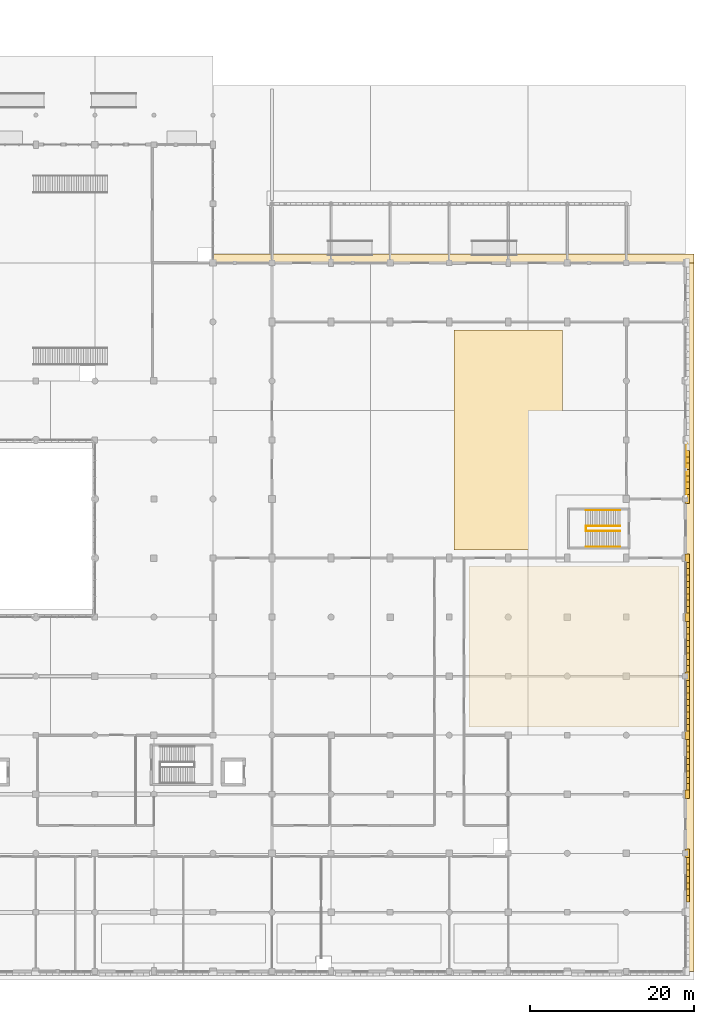
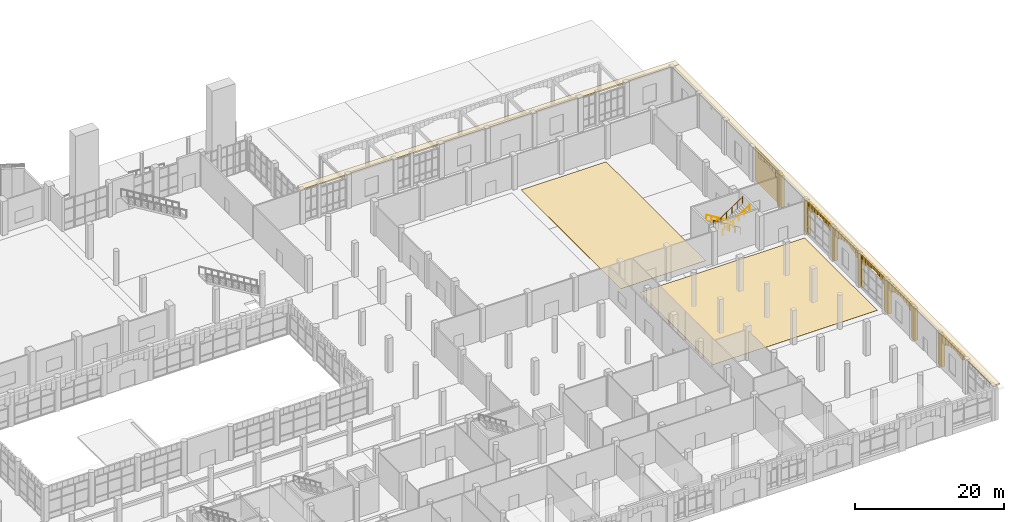
# One storey, part 83 of 85: 58 coverings, 3 railings.
"""IFC4 building model written with IfcOpenShell, lengths in metres."""

import ifcopenshell
import ifcopenshell.guid

model = None  # the IFC model being written
_history = None  # IfcOwnerHistory: only IFC2X3 demands one
_inside = {}  # id of a spatial element -> (the spatial element, [elements in it])
_under = {}  # id of a project, library or spatial element -> (it, [spatial elements below it])
_declared = {}  # id of a project -> (the project, [libraries it declares])
_typed = {}  # id of a type object -> (the type object, [elements of that type])
_made_of = {}  # id of a material, layer set ... -> (it, [elements and type objects made of it])


def new_model(schema):
    """Start an empty IFC model of exactly this schema.

    Asked for "IFC4X3", IfcOpenShell would pick the latest addendum, in which some entities
    have other attributes; the version numbers below select the first issue.
    IFC2X3 requires an IfcOwnerHistory on every rooted entity: one is made here for all.
    """
    global model, _history
    if schema == "IFC4X3":
        model = ifcopenshell.file(schema_version=(4, 3, 0, 0))
    else:
        model = ifcopenshell.file(schema=schema)
    _inside.clear()
    _under.clear()
    _declared.clear()
    _typed.clear()
    _made_of.clear()
    _history = None
    if model.schema == "IFC2X3":
        org = make("IfcOrganization", Name="unknown")
        user = make(
            "IfcPersonAndOrganization",
            ThePerson=make("IfcPerson", FamilyName="unknown"),
            TheOrganization=org,
        )
        app = make(
            "IfcApplication",
            ApplicationDeveloper=org,
            Version="unknown",
            ApplicationFullName="unknown",
            ApplicationIdentifier="unknown",
        )
        _history = make(
            "IfcOwnerHistory",
            OwningUser=user,
            OwningApplication=app,
            ChangeAction="ADDED",
            CreationDate=0,
        )
    return model


def make(cls, **values):
    """One entity of the class cls with the attributes given. An attribute that is None is left unset."""
    return model.create_entity(
        cls, **{name: value for name, value in values.items() if value is not None}
    )


def rooted(cls, **values):
    """An entity with a GlobalId (a new one), such as an element, a storey or a relation."""
    return make(cls, GlobalId=ifcopenshell.guid.new(), OwnerHistory=_history, **values)


def si_unit(unit_type, name, prefix=None):
    """IfcSIUnit, for example si_unit("LENGTHUNIT", "METRE", prefix="MILLI")."""
    return make("IfcSIUnit", UnitType=unit_type, Prefix=prefix, Name=name)


def assignment(units):
    """IfcUnitAssignment: the units of a project."""
    return None if units is None else make("IfcUnitAssignment", Units=units)


def point(xyz):
    """IfcCartesianPoint."""
    return None if xyz is None else make("IfcCartesianPoint", Coordinates=xyz)


def direction(xyz):
    """IfcDirection."""
    return None if xyz is None else make("IfcDirection", DirectionRatios=xyz)


def frame(location, z_axis=None, x_axis=None):
    """IfcAxis2Placement3D, a coordinate frame: its origin and axes. An axis left out is left unset."""
    return make(
        "IfcAxis2Placement3D",
        Location=point(location),
        Axis=direction(z_axis),
        RefDirection=direction(x_axis),
    )


def frame_2d(location, x_axis=None):
    """IfcAxis2Placement2D, a coordinate frame in the plane: its origin and x axis."""
    return make(
        "IfcAxis2Placement2D", Location=point(location), RefDirection=direction(x_axis)
    )


def origin():
    """The frame at (0, 0, 0) with its axes left unset."""
    return frame((0.0, 0.0, 0.0))


def origin_2d():
    """The frame at (0, 0) in the plane with its x axis left unset."""
    return frame_2d((0.0, 0.0))


def place(relative_to, where):
    """IfcLocalPlacement: puts the frame where relative to a parent placement (None: the world)."""
    return make(
        "IfcLocalPlacement", PlacementRelTo=relative_to, RelativePlacement=where
    )


def context(
    kind, dimensions, precision=None, world=None, true_north=None, identifier=None
):
    """IfcGeometricRepresentationContext, for example the 3D "Model" context."""
    return make(
        "IfcGeometricRepresentationContext",
        ContextIdentifier=identifier,
        ContextType=kind,
        CoordinateSpaceDimension=dimensions,
        Precision=precision,
        WorldCoordinateSystem=world,
        TrueNorth=true_north,
    )


def subcontext(parent, identifier, kind, view, scale=None):
    """IfcGeometricRepresentationSubContext, for example "Body" below "Model"."""
    return make(
        "IfcGeometricRepresentationSubContext",
        ContextIdentifier=identifier,
        ContextType=kind,
        ParentContext=parent,
        TargetScale=scale,
        TargetView=view,
    )


def project(units=None, contexts=None):
    """IfcProject with its units and contexts."""
    return rooted(
        "IfcProject",
        Name="project",
        RepresentationContexts=contexts,
        UnitsInContext=assignment(units),
    )


def spatial(cls, under=None, at=None, **own):
    """A site, building, storey or space (cls), placed at a placement, below another one or the project."""
    s = rooted(cls, ObjectPlacement=at, **own)
    if under is not None:
        _under.setdefault(under.id(), (under, []))[1].append(s)
    return s


def polyline(points):
    """IfcPolyline through the points."""
    return make("IfcPolyline", Points=[point(p) for p in points])


def profile(cls, at=None, kind="AREA", **sizes):
    """A parametric profile (cls). Its sizes go by their IFC names, for example OverallWidth=200.0."""
    return make(cls, ProfileType=kind, Position=at, **sizes)


def rectangle(**sizes):
    """IfcRectangleProfileDef."""
    return profile("IfcRectangleProfileDef", **sizes)


def circle(**sizes):
    """IfcCircleProfileDef."""
    return profile("IfcCircleProfileDef", **sizes)


def outline(outer, holes=None, kind="AREA"):
    """IfcArbitraryClosedProfileDef: a profile drawn as a closed curve; with holes, ...WithVoids."""
    if holes is None:
        return make("IfcArbitraryClosedProfileDef", ProfileType=kind, OuterCurve=outer)
    return make(
        "IfcArbitraryProfileDefWithVoids",
        ProfileType=kind,
        OuterCurve=outer,
        InnerCurves=holes,
    )


def extrude(swept, where, along, depth):
    """IfcExtrudedAreaSolid: the profile swept, set in the frame where, extruded along a direction by depth."""
    return make(
        "IfcExtrudedAreaSolid",
        SweptArea=swept,
        Position=where,
        ExtrudedDirection=direction(along),
        Depth=depth,
    )


def shape(context_of_items, identifier, shape_type, items):
    """IfcShapeRepresentation: the items that make up one representation, for example the "Body"."""
    return make(
        "IfcShapeRepresentation",
        ContextOfItems=context_of_items,
        RepresentationIdentifier=identifier,
        RepresentationType=shape_type,
        Items=items,
    )


def material(Name=None, Category=None):
    """IfcMaterial."""
    return make("IfcMaterial", Name=Name, Category=Category)


def layer(
    of_material, thickness, ventilated=None, Name=None, Category=None, Priority=None
):
    """IfcMaterialLayer: one layer of a wall or slab, of a material (None: an air gap)."""
    return make(
        "IfcMaterialLayer",
        Material=of_material,
        LayerThickness=thickness,
        IsVentilated=ventilated,
        Name=Name,
        Category=Category,
        Priority=Priority,
    )


def layer_set(layers, Name=None):
    """IfcMaterialLayerSet."""
    return make("IfcMaterialLayerSet", MaterialLayers=layers, LayerSetName=Name)


def made_of(thing, what):
    """Note that an element or type object is made of a material, layer set ...; save() writes the relation."""
    if what is not None:
        _made_of.setdefault(what.id(), (what, []))[1].append(thing)
    return thing


def type_object(cls, material=None, **own):
    """A type object (cls), such as IfcWallType, which elements share."""
    return made_of(rooted(cls, **own), material)


def element(
    cls,
    number,
    at=None,
    inside=None,
    cuts=None,
    type_object=None,
    material=None,
    context=None,
    identifier="Body",
    shape_type=None,
    held_by="IfcProductDefinitionShape",
    body=None,
    shapes=None,
    **own,
):
    """One element of the class cls, such as IfcWall. Its Tag is "e" and its number.

    at: its placement. inside: the storey or other place that contains it. cuts: it is an
    opening in that element (IfcRelVoidsElement). A single representation is given by context,
    identifier, shape_type and body (its items); several are given by shapes. held_by: the class
    of the entity that holds the representations. save() writes the other relations.
    """
    e = rooted(cls, Tag="e%d" % number, ObjectPlacement=at, **own)
    if body is not None:
        shapes = [shape(context, identifier, shape_type, body)]
    if shapes is not None:
        e.Representation = make(held_by, Representations=shapes)
    if inside is not None:
        _inside.setdefault(inside.id(), (inside, []))[1].append(e)
    if cuts is not None:
        rooted(
            "IfcRelVoidsElement", RelatingBuildingElement=cuts, RelatedOpeningElement=e
        )
    if type_object is not None:
        _typed.setdefault(type_object.id(), (type_object, []))[1].append(e)
    return made_of(e, material)


def aggregate(whole, parts):
    """IfcRelAggregates: a whole, such as a stair, and the parts it consists of."""
    return rooted("IfcRelAggregates", RelatingObject=whole, RelatedObjects=parts)


def save(model, path):
    """Write the relations noted so far, then the file.

    IfcRelAggregates (storeys below a building ...), IfcRelContainedInSpatialStructure (elements
    in a storey), IfcRelDefinesByType, IfcRelAssociatesMaterial and IfcRelDeclares: one each for
    every whole, place, type object, material and project.
    """
    for whole, parts in _under.values():
        aggregate(whole, parts)
    for where, things in _inside.values():
        rooted(
            "IfcRelContainedInSpatialStructure",
            RelatedElements=things,
            RelatingStructure=where,
        )
    for kind, things in _typed.values():
        rooted("IfcRelDefinesByType", RelatedObjects=things, RelatingType=kind)
    for what, things in _made_of.values():
        rooted("IfcRelAssociatesMaterial", RelatedObjects=things, RelatingMaterial=what)
    for by, libraries in _declared.values():
        rooted("IfcRelDeclares", RelatingContext=by, RelatedDefinitions=libraries)
    model.write(path)


model = new_model("IFC4")

# Units and contexts
model_context = context("Model", 3, precision=1e-05, world=origin(), true_north=direction((0.0, 1.0)))
body_context = subcontext(model_context, "Body", "Model", "MODEL_VIEW")
ifc_project = project(units=[si_unit("LENGTHUNIT", "METRE"), si_unit("AREAUNIT", "SQUARE_METRE"), si_unit("VOLUMEUNIT", "CUBIC_METRE"), si_unit("PLANEANGLEUNIT", "RADIAN"), si_unit("MASSUNIT", "GRAM", prefix="KILO")], contexts=[model_context])

# Site, building, storey
site_placement = place(None, origin())
site = spatial("IfcSite", under=ifc_project, at=site_placement, CompositionType="ELEMENT")
building_placement = place(site_placement, origin())
building = spatial("IfcBuilding", under=site, at=building_placement, Name="Sardonyx Promenade Sports Hall", CompositionType="ELEMENT")
storey_placement = place(building_placement, origin())
storey = spatial("IfcBuildingStorey", under=building, at=storey_placement, Name="L00", CompositionType="ELEMENT", Elevation=0.0)

# Coverings
ifc_material_1 = material(Name="Dressed Cape red sandstone cornice", Category="masonry")
ifc_layer_1 = layer(ifc_material_1, 0.139892578125)
ifc_layer_set_1 = layer_set([ifc_layer_1], Name="Cov_Chhajja_Eave")
covering_type_1 = type_object("IfcCoveringType", Name="Cov_Chhajja_Eave", PredefinedType="MOLDING", material=ifc_layer_set_1)
covering_1_placement = place(storey_placement, frame((0.0, 0.0, 5.25)))
element("IfcCovering", 1, at=covering_1_placement, inside=storey, type_object=covering_type_1, Name="East facade L00 chhajja cornice", PredefinedType="MOLDING", context=body_context, shape_type="SweptSolid", body=[
    extrude(outline(polyline([(165.550048828125, 0.0), (166.64990234375, 0.0), (166.64990234375, 86.5), (165.550048828125, 86.5), (165.550048828125, 0.0)])), origin(), (0.0, 0.0, 1.0), 0.219970703125),
])
covering_2_placement = place(storey_placement, frame((0.0, 0.0, 5.25)))
element("IfcCovering", 2, at=covering_2_placement, inside=storey, type_object=covering_type_1, Name="Practice hall north chhajja cornice", PredefinedType="MOLDING", context=body_context, shape_type="SweptSolid", body=[
    extrude(outline(polyline([(107.949951171875, 86.35009765625), (166.64990234375, 86.35009765625), (166.64990234375, 87.449951171875), (107.949951171875, 87.449951171875), (107.949951171875, 86.35009765625)])), origin(), (0.0, 0.0, 1.0), 0.219970703125),
])
ifc_material_2 = material(Name="Dressed Cape red sandstone ashlar", Category="masonry")
ifc_layer_2 = layer(ifc_material_2, 0.06005859375)
ifc_layer_set_2 = layer_set([ifc_layer_2], Name="Cov_Cladding_Sandstone")
covering_type_2 = type_object("IfcCoveringType", Name="Cov_Cladding_Sandstone", PredefinedType="CLADDING", material=ifc_layer_set_2)
covering_3_placement = place(storey_placement, frame((165.77490234375, 64.364990234375, 0.050048828125), z_axis=(0.0, 0.0, 1.0), x_axis=(0.0, -1.0, 0.0)))
element("IfcCovering", 3, at=covering_3_placement, inside=storey, type_object=covering_type_2, Name="Dressed sandstone ashlar cladding L00 #95", PredefinedType="CLADDING", context=body_context, shape_type="SweptSolid", body=[
    extrude(rectangle(XDim=6.429931640625, YDim=0.050048828125, at=frame_2d((3.21484375, 0.0))), origin(), (0.0, 0.0, 1.0), 5.5),
])
covering_4_placement = place(storey_placement, origin())
element("IfcCovering", 4, at=covering_4_placement, inside=storey, type_object=covering_type_2, Name="East sandstone pier casing L00 #2", PredefinedType="CLADDING", context=body_context, shape_type="SweptSolid", body=[
    extrude(outline(polyline([(165.580078125, 13.8798828125), (166.080078125, 13.8798828125), (166.080078125, 14.919921875), (165.580078125, 14.919921875), (165.580078125, 13.8798828125)])), origin(), (0.0, 0.0, 1.0), 5.25),
])
covering_5_placement = place(storey_placement, origin())
element("IfcCovering", 5, at=covering_5_placement, inside=storey, type_object=covering_type_2, Name="East sandstone pier casing L00 #3", PredefinedType="CLADDING", context=body_context, shape_type="SweptSolid", body=[
    extrude(outline(polyline([(165.580078125, 21.080078125), (166.080078125, 21.080078125), (166.080078125, 22.1201171875), (165.580078125, 22.1201171875), (165.580078125, 21.080078125)])), origin(), (0.0, 0.0, 1.0), 5.25),
])
covering_6_placement = place(storey_placement, origin())
element("IfcCovering", 6, at=covering_6_placement, inside=storey, type_object=covering_type_2, Name="East sandstone pier casing L00 #4", PredefinedType="CLADDING", context=body_context, shape_type="SweptSolid", body=[
    extrude(outline(polyline([(165.580078125, 28.280029296875), (166.080078125, 28.280029296875), (166.080078125, 29.320068359375), (165.580078125, 29.320068359375), (165.580078125, 28.280029296875)])), origin(), (0.0, 0.0, 1.0), 5.25),
])
covering_7_placement = place(storey_placement, origin())
element("IfcCovering", 7, at=covering_7_placement, inside=storey, type_object=covering_type_2, Name="East sandstone pier casing L00 #5", PredefinedType="CLADDING", context=body_context, shape_type="SweptSolid", body=[
    extrude(outline(polyline([(165.580078125, 35.47998046875), (166.080078125, 35.47998046875), (166.080078125, 36.52001953125), (165.580078125, 36.52001953125), (165.580078125, 35.47998046875)])), origin(), (0.0, 0.0, 1.0), 5.25),
])
covering_8_placement = place(storey_placement, origin())
element("IfcCovering", 8, at=covering_8_placement, inside=storey, type_object=covering_type_2, Name="East sandstone pier casing L00 #6", PredefinedType="CLADDING", context=body_context, shape_type="SweptSolid", body=[
    extrude(outline(polyline([(165.580078125, 42.679931640625), (166.080078125, 42.679931640625), (166.080078125, 43.719970703125), (165.580078125, 43.719970703125), (165.580078125, 42.679931640625)])), origin(), (0.0, 0.0, 1.0), 5.25),
])
covering_9_placement = place(storey_placement, origin())
element("IfcCovering", 9, at=covering_9_placement, inside=storey, type_object=covering_type_2, Name="East sandstone pier casing L00 #7", PredefinedType="CLADDING", context=body_context, shape_type="SweptSolid", body=[
    extrude(outline(polyline([(165.580078125, 49.8798828125), (166.080078125, 49.8798828125), (166.080078125, 50.919921875), (165.580078125, 50.919921875), (165.580078125, 49.8798828125)])), origin(), (0.0, 0.0, 1.0), 5.25),
])
covering_10_placement = place(storey_placement, origin())
element("IfcCovering", 10, at=covering_10_placement, inside=storey, type_object=covering_type_2, Name="East sandstone pier casing L00 #8", PredefinedType="CLADDING", context=body_context, shape_type="SweptSolid", body=[
    extrude(outline(polyline([(165.580078125, 57.080078125), (166.080078125, 57.080078125), (166.080078125, 58.1201171875), (165.580078125, 58.1201171875), (165.580078125, 57.080078125)])), origin(), (0.0, 0.0, 1.0), 5.25),
])
ifc_material_3 = material(Name="EPDM polymeric athletic surfacing", Category="other")
ifc_layer_3 = layer(ifc_material_3, 0.02490234375)
ifc_layer_set_3 = layer_set([ifc_layer_3], Name="Cov_Floor_Athletic")
covering_type_3 = type_object("IfcCoveringType", Name="Cov_Floor_Athletic", PredefinedType="FLOORING", material=ifc_layer_set_3)
covering_11_placement = place(storey_placement, origin())
element("IfcCovering", 11, at=covering_11_placement, inside=storey, type_object=covering_type_3, Name="Athletic flooring FLR2 L00 #14", PredefinedType="FLOORING", context=body_context, shape_type="SweptSolid", body=[
    extrude(outline(polyline([(139.199951171875, 29.800048828125), (164.800048828125, 29.800048828125), (164.800048828125, 49.39990234375), (139.199951171875, 49.39990234375), (139.199951171875, 29.800048828125)])), origin(), (0.0, 0.0, 1.0), 0.02490234375),
])
ifc_material_4 = material(Name="FIBA Grade 1 sprung maple hardwood court flooring", Category="wood")
ifc_layer_4 = layer(ifc_material_4, 0.044921875)
ifc_layer_set_4 = layer_set([ifc_layer_4], Name="Cov_Floor_Maple")
covering_type_4 = type_object("IfcCoveringType", Name="Cov_Floor_Maple", PredefinedType="FLOORING", material=ifc_layer_set_4)
covering_12_placement = place(storey_placement, origin())
element("IfcCovering", 12, at=covering_12_placement, inside=storey, type_object=covering_type_4, Name="Athletic flooring FLR1 L00 #4", PredefinedType="FLOORING", context=body_context, shape_type="SweptSolid", body=[
    extrude(outline(polyline([(137.39990234375, 51.39990234375), (150.60009765625, 51.39990234375), (150.60009765625, 78.199951171875), (137.39990234375, 78.199951171875), (137.39990234375, 51.39990234375)])), origin(), (0.0, 0.0, 1.0), 0.044921875),
])
ifc_material_5 = material(Name="Carved Cape red sandstone ashlar", Category="masonry")
ifc_layer_5 = layer(ifc_material_5, 0.239990234375)
ifc_layer_set_5 = layer_set([ifc_layer_5], Name="Cov_Mughal_Arch")
covering_type_5 = type_object("IfcCoveringType", Name="Cov_Mughal_Arch", PredefinedType="CLADDING", material=ifc_layer_set_5)
covering_13_placement = place(storey_placement, frame((165.919921875, 8.489990234375, 4.3671875), z_axis=(0.0, 0.0, 1.0), x_axis=(0.0, 1.0, 0.0)))
element("IfcCovering", 13, at=covering_13_placement, inside=storey, type_object=covering_type_5, Name="Mughal pointed-arch spandrel L00 cov:el00arch:01 #2", PredefinedType="CLADDING", context=body_context, shape_type="SweptSolid", body=[
    extrude(rectangle(XDim=0.77001953125, YDim=0.340087890625, at=frame_2d((0.385009765625, 0.0))), origin(), (0.0, 0.0, 1.0), 0.8828125),
])
covering_14_placement = place(storey_placement, frame((165.919921875, 9.260009765625, 4.51220703125), z_axis=(0.0, 0.0, 1.0), x_axis=(0.0, 1.0, 0.0)))
element("IfcCovering", 14, at=covering_14_placement, inside=storey, type_object=covering_type_5, Name="Mughal pointed-arch spandrel L00 cov:el00arch:01 #3", PredefinedType="CLADDING", context=body_context, shape_type="SweptSolid", body=[
    extrude(rectangle(XDim=0.77001953125, YDim=0.340087890625, at=frame_2d((0.385009765625, 0.0))), origin(), (0.0, 0.0, 1.0), 0.73779296875),
])
for number, where, z_axis, x_axis, name in (
    (15, (165.919921875, 10.030029296875, 4.69775390625), (0.0, 0.0, 1.0), (0.0, 1.0, 0.0), "Mughal pointed-arch spandrel L00 cov:el00arch:01 #4"),
    (16, (165.919921875, 10.800048828125, 4.69775390625), (0.0, 0.0, 1.0), (0.0, 1.0, 0.0), "Mughal pointed-arch spandrel L00 cov:el00arch:01 #5"),
):
    element("IfcCovering", number, at=place(storey_placement, frame(where, z_axis=z_axis, x_axis=x_axis)), inside=storey, type_object=covering_type_5, Name=name, PredefinedType="CLADDING", context=body_context, shape_type="SweptSolid", body=[
        extrude(rectangle(XDim=0.77001953125, YDim=0.340087890625, at=frame_2d((0.385009765625, 0.0))), origin(), (0.0, 0.0, 1.0), 0.55224609375),
    ])
covering_15_placement = place(storey_placement, frame((165.919921875, 11.570068359375, 4.51220703125), z_axis=(0.0, 0.0, 1.0), x_axis=(0.0, 1.0, 0.0)))
element("IfcCovering", 17, at=covering_15_placement, inside=storey, type_object=covering_type_5, Name="Mughal pointed-arch spandrel L00 cov:el00arch:01 #6", PredefinedType="CLADDING", context=body_context, shape_type="SweptSolid", body=[
    extrude(rectangle(XDim=0.77001953125, YDim=0.340087890625, at=frame_2d((0.385009765625, 0.0))), origin(), (0.0, 0.0, 1.0), 0.73779296875),
])
covering_16_placement = place(storey_placement, frame((165.919921875, 12.340087890625, 4.3671875), z_axis=(0.0, 0.0, 1.0), x_axis=(0.0, 1.0, 0.0)))
element("IfcCovering", 18, at=covering_16_placement, inside=storey, type_object=covering_type_5, Name="Mughal pointed-arch spandrel L00 cov:el00arch:01 #7", PredefinedType="CLADDING", context=body_context, shape_type="SweptSolid", body=[
    extrude(rectangle(XDim=0.77001953125, YDim=0.340087890625, at=frame_2d((0.385009765625, 0.0))), origin(), (0.0, 0.0, 1.0), 0.8828125),
])
for number, where, z_axis, x_axis, name in (
    (19, (165.919921875, 13.110107421875, 3.977783203125), (0.0, 0.0, 1.0), (0.0, 1.0, 0.0), "Mughal pointed-arch spandrel L00 cov:el00arch:01 #8"),
    (20, (165.919921875, 22.1201171875, 3.977783203125), (0.0, 0.0, 1.0), (0.0, 1.0, 0.0), "Mughal pointed-arch spandrel L00 cov:el00arch:03 #1"),
):
    element("IfcCovering", number, at=place(storey_placement, frame(where, z_axis=z_axis, x_axis=x_axis)), inside=storey, type_object=covering_type_5, Name=name, PredefinedType="CLADDING", context=body_context, shape_type="SweptSolid", body=[
        extrude(rectangle(XDim=0.769775390625, YDim=0.340087890625, at=frame_2d((0.384765625, 0.0))), origin(), (0.0, 0.0, 1.0), 1.272216796875),
    ])
covering_17_placement = place(storey_placement, frame((165.919921875, 22.889892578125, 4.3671875), z_axis=(0.0, 0.0, 1.0), x_axis=(0.0, 1.0, 0.0)))
element("IfcCovering", 21, at=covering_17_placement, inside=storey, type_object=covering_type_5, Name="Mughal pointed-arch spandrel L00 cov:el00arch:03 #2", PredefinedType="CLADDING", context=body_context, shape_type="SweptSolid", body=[
    extrude(rectangle(XDim=0.77001953125, YDim=0.340087890625, at=frame_2d((0.385009765625, 0.0))), origin(), (0.0, 0.0, 1.0), 0.8828125),
])
covering_18_placement = place(storey_placement, frame((165.919921875, 23.659912109375, 4.51220703125), z_axis=(0.0, 0.0, 1.0), x_axis=(0.0, 1.0, 0.0)))
element("IfcCovering", 22, at=covering_18_placement, inside=storey, type_object=covering_type_5, Name="Mughal pointed-arch spandrel L00 cov:el00arch:03 #3", PredefinedType="CLADDING", context=body_context, shape_type="SweptSolid", body=[
    extrude(rectangle(XDim=0.77001953125, YDim=0.340087890625, at=frame_2d((0.385009765625, 0.0))), origin(), (0.0, 0.0, 1.0), 0.73779296875),
])
for number, where, z_axis, x_axis, name in (
    (23, (165.919921875, 24.429931640625, 4.69775390625), (0.0, 0.0, 1.0), (0.0, 1.0, 0.0), "Mughal pointed-arch spandrel L00 cov:el00arch:03 #4"),
    (24, (165.919921875, 25.199951171875, 4.69775390625), (0.0, 0.0, 1.0), (0.0, 1.0, 0.0), "Mughal pointed-arch spandrel L00 cov:el00arch:03 #5"),
):
    element("IfcCovering", number, at=place(storey_placement, frame(where, z_axis=z_axis, x_axis=x_axis)), inside=storey, type_object=covering_type_5, Name=name, PredefinedType="CLADDING", context=body_context, shape_type="SweptSolid", body=[
        extrude(rectangle(XDim=0.77001953125, YDim=0.340087890625, at=frame_2d((0.385009765625, 0.0))), origin(), (0.0, 0.0, 1.0), 0.55224609375),
    ])
covering_19_placement = place(storey_placement, frame((165.919921875, 25.969970703125, 4.51220703125), z_axis=(0.0, 0.0, 1.0), x_axis=(0.0, 1.0, 0.0)))
element("IfcCovering", 25, at=covering_19_placement, inside=storey, type_object=covering_type_5, Name="Mughal pointed-arch spandrel L00 cov:el00arch:03 #6", PredefinedType="CLADDING", context=body_context, shape_type="SweptSolid", body=[
    extrude(rectangle(XDim=0.77001953125, YDim=0.340087890625, at=frame_2d((0.385009765625, 0.0))), origin(), (0.0, 0.0, 1.0), 0.73779296875),
])
covering_20_placement = place(storey_placement, frame((165.919921875, 26.739990234375, 4.3671875), z_axis=(0.0, 0.0, 1.0), x_axis=(0.0, 1.0, 0.0)))
element("IfcCovering", 26, at=covering_20_placement, inside=storey, type_object=covering_type_5, Name="Mughal pointed-arch spandrel L00 cov:el00arch:03 #7", PredefinedType="CLADDING", context=body_context, shape_type="SweptSolid", body=[
    extrude(rectangle(XDim=0.77001953125, YDim=0.340087890625, at=frame_2d((0.385009765625, 0.0))), origin(), (0.0, 0.0, 1.0), 0.8828125),
])
for number, where, z_axis, x_axis, name in (
    (27, (165.919921875, 27.510009765625, 3.977783203125), (0.0, 0.0, 1.0), (0.0, 1.0, 0.0), "Mughal pointed-arch spandrel L00 cov:el00arch:03 #8"),
    (28, (165.919921875, 29.320068359375, 3.977783203125), (0.0, 0.0, 1.0), (0.0, 1.0, 0.0), "Mughal pointed-arch spandrel L00 cov:el00arch:04 #1"),
):
    element("IfcCovering", number, at=place(storey_placement, frame(where, z_axis=z_axis, x_axis=x_axis)), inside=storey, type_object=covering_type_5, Name=name, PredefinedType="CLADDING", context=body_context, shape_type="SweptSolid", body=[
        extrude(rectangle(XDim=0.77001953125, YDim=0.340087890625, at=frame_2d((0.385009765625, 0.0))), origin(), (0.0, 0.0, 1.0), 1.272216796875),
    ])
covering_21_placement = place(storey_placement, frame((165.919921875, 30.090087890625, 4.3671875), z_axis=(0.0, 0.0, 1.0), x_axis=(0.0, 1.0, 0.0)))
element("IfcCovering", 29, at=covering_21_placement, inside=storey, type_object=covering_type_5, Name="Mughal pointed-arch spandrel L00 cov:el00arch:04 #2", PredefinedType="CLADDING", context=body_context, shape_type="SweptSolid", body=[
    extrude(rectangle(XDim=0.77001953125, YDim=0.340087890625, at=frame_2d((0.385009765625, 0.0))), origin(), (0.0, 0.0, 1.0), 0.8828125),
])
covering_22_placement = place(storey_placement, frame((165.919921875, 30.860107421875, 4.51220703125), z_axis=(0.0, 0.0, 1.0), x_axis=(0.0, 1.0, 0.0)))
element("IfcCovering", 30, at=covering_22_placement, inside=storey, type_object=covering_type_5, Name="Mughal pointed-arch spandrel L00 cov:el00arch:04 #3", PredefinedType="CLADDING", context=body_context, shape_type="SweptSolid", body=[
    extrude(rectangle(XDim=0.769775390625, YDim=0.340087890625, at=frame_2d((0.384765625, 0.0))), origin(), (0.0, 0.0, 1.0), 0.73779296875),
])
for number, where, z_axis, x_axis, name in (
    (31, (165.919921875, 31.6298828125, 4.69775390625), (0.0, 0.0, 1.0), (0.0, 1.0, 0.0), "Mughal pointed-arch spandrel L00 cov:el00arch:04 #4"),
    (32, (165.919921875, 32.39990234375, 4.69775390625), (0.0, 0.0, 1.0), (0.0, 1.0, 0.0), "Mughal pointed-arch spandrel L00 cov:el00arch:04 #5"),
):
    element("IfcCovering", number, at=place(storey_placement, frame(where, z_axis=z_axis, x_axis=x_axis)), inside=storey, type_object=covering_type_5, Name=name, PredefinedType="CLADDING", context=body_context, shape_type="SweptSolid", body=[
        extrude(rectangle(XDim=0.77001953125, YDim=0.340087890625, at=frame_2d((0.385009765625, 0.0))), origin(), (0.0, 0.0, 1.0), 0.55224609375),
    ])
covering_23_placement = place(storey_placement, frame((165.919921875, 33.169921875, 4.51220703125), z_axis=(0.0, 0.0, 1.0), x_axis=(0.0, 1.0, 0.0)))
element("IfcCovering", 33, at=covering_23_placement, inside=storey, type_object=covering_type_5, Name="Mughal pointed-arch spandrel L00 cov:el00arch:04 #6", PredefinedType="CLADDING", context=body_context, shape_type="SweptSolid", body=[
    extrude(rectangle(XDim=0.77001953125, YDim=0.340087890625, at=frame_2d((0.385009765625, 0.0))), origin(), (0.0, 0.0, 1.0), 0.73779296875),
])
covering_24_placement = place(storey_placement, frame((165.919921875, 33.93994140625, 4.3671875), z_axis=(0.0, 0.0, 1.0), x_axis=(0.0, 1.0, 0.0)))
element("IfcCovering", 34, at=covering_24_placement, inside=storey, type_object=covering_type_5, Name="Mughal pointed-arch spandrel L00 cov:el00arch:04 #7", PredefinedType="CLADDING", context=body_context, shape_type="SweptSolid", body=[
    extrude(rectangle(XDim=0.77001953125, YDim=0.340087890625, at=frame_2d((0.385009765625, 0.0))), origin(), (0.0, 0.0, 1.0), 0.8828125),
])
for number, where, z_axis, x_axis, name in (
    (35, (165.919921875, 34.7099609375, 3.977783203125), (0.0, 0.0, 1.0), (0.0, 1.0, 0.0), "Mughal pointed-arch spandrel L00 cov:el00arch:04 #8"),
    (36, (165.919921875, 36.52001953125, 3.977783203125), (0.0, 0.0, 1.0), (0.0, 1.0, 0.0), "Mughal pointed-arch spandrel L00 cov:el00arch:05 #1"),
):
    element("IfcCovering", number, at=place(storey_placement, frame(where, z_axis=z_axis, x_axis=x_axis)), inside=storey, type_object=covering_type_5, Name=name, PredefinedType="CLADDING", context=body_context, shape_type="SweptSolid", body=[
        extrude(rectangle(XDim=0.77001953125, YDim=0.340087890625, at=frame_2d((0.385009765625, 0.0))), origin(), (0.0, 0.0, 1.0), 1.272216796875),
    ])
covering_25_placement = place(storey_placement, frame((165.919921875, 37.2900390625, 4.3671875), z_axis=(0.0, 0.0, 1.0), x_axis=(0.0, 1.0, 0.0)))
element("IfcCovering", 37, at=covering_25_placement, inside=storey, type_object=covering_type_5, Name="Mughal pointed-arch spandrel L00 cov:el00arch:05 #2", PredefinedType="CLADDING", context=body_context, shape_type="SweptSolid", body=[
    extrude(rectangle(XDim=0.77001953125, YDim=0.340087890625, at=frame_2d((0.385009765625, 0.0))), origin(), (0.0, 0.0, 1.0), 0.8828125),
])
covering_26_placement = place(storey_placement, frame((165.919921875, 38.06005859375, 4.51220703125), z_axis=(0.0, 0.0, 1.0), x_axis=(0.0, 1.0, 0.0)))
element("IfcCovering", 38, at=covering_26_placement, inside=storey, type_object=covering_type_5, Name="Mughal pointed-arch spandrel L00 cov:el00arch:05 #3", PredefinedType="CLADDING", context=body_context, shape_type="SweptSolid", body=[
    extrude(rectangle(XDim=0.77001953125, YDim=0.340087890625, at=frame_2d((0.385009765625, 0.0))), origin(), (0.0, 0.0, 1.0), 0.73779296875),
])
for number, where, z_axis, x_axis, name in (
    (39, (165.919921875, 38.830078125, 4.69775390625), (0.0, 0.0, 1.0), (0.0, 1.0, 0.0), "Mughal pointed-arch spandrel L00 cov:el00arch:05 #4"),
    (40, (165.919921875, 39.60009765625, 4.69775390625), (0.0, 0.0, 1.0), (0.0, 1.0, 0.0), "Mughal pointed-arch spandrel L00 cov:el00arch:05 #5"),
):
    element("IfcCovering", number, at=place(storey_placement, frame(where, z_axis=z_axis, x_axis=x_axis)), inside=storey, type_object=covering_type_5, Name=name, PredefinedType="CLADDING", context=body_context, shape_type="SweptSolid", body=[
        extrude(rectangle(XDim=0.77001953125, YDim=0.340087890625, at=frame_2d((0.385009765625, 0.0))), origin(), (0.0, 0.0, 1.0), 0.55224609375),
    ])
covering_27_placement = place(storey_placement, frame((165.919921875, 40.3701171875, 4.51220703125), z_axis=(0.0, 0.0, 1.0), x_axis=(0.0, 1.0, 0.0)))
element("IfcCovering", 41, at=covering_27_placement, inside=storey, type_object=covering_type_5, Name="Mughal pointed-arch spandrel L00 cov:el00arch:05 #6", PredefinedType="CLADDING", context=body_context, shape_type="SweptSolid", body=[
    extrude(rectangle(XDim=0.769775390625, YDim=0.340087890625, at=frame_2d((0.384765625, 0.0))), origin(), (0.0, 0.0, 1.0), 0.73779296875),
])
covering_28_placement = place(storey_placement, frame((165.919921875, 41.139892578125, 4.3671875), z_axis=(0.0, 0.0, 1.0), x_axis=(0.0, 1.0, 0.0)))
element("IfcCovering", 42, at=covering_28_placement, inside=storey, type_object=covering_type_5, Name="Mughal pointed-arch spandrel L00 cov:el00arch:05 #7", PredefinedType="CLADDING", context=body_context, shape_type="SweptSolid", body=[
    extrude(rectangle(XDim=0.77001953125, YDim=0.340087890625, at=frame_2d((0.385009765625, 0.0))), origin(), (0.0, 0.0, 1.0), 0.8828125),
])
for number, where, z_axis, x_axis, name in (
    (43, (165.919921875, 41.909912109375, 3.977783203125), (0.0, 0.0, 1.0), (0.0, 1.0, 0.0), "Mughal pointed-arch spandrel L00 cov:el00arch:05 #8"),
    (44, (165.919921875, 43.719970703125, 3.977783203125), (0.0, 0.0, 1.0), (0.0, 1.0, 0.0), "Mughal pointed-arch spandrel L00 cov:el00arch:06 #1"),
):
    element("IfcCovering", number, at=place(storey_placement, frame(where, z_axis=z_axis, x_axis=x_axis)), inside=storey, type_object=covering_type_5, Name=name, PredefinedType="CLADDING", context=body_context, shape_type="SweptSolid", body=[
        extrude(rectangle(XDim=0.77001953125, YDim=0.340087890625, at=frame_2d((0.385009765625, 0.0))), origin(), (0.0, 0.0, 1.0), 1.272216796875),
    ])
covering_29_placement = place(storey_placement, frame((165.919921875, 44.489990234375, 4.3671875), z_axis=(0.0, 0.0, 1.0), x_axis=(0.0, 1.0, 0.0)))
element("IfcCovering", 45, at=covering_29_placement, inside=storey, type_object=covering_type_5, Name="Mughal pointed-arch spandrel L00 cov:el00arch:06 #2", PredefinedType="CLADDING", context=body_context, shape_type="SweptSolid", body=[
    extrude(rectangle(XDim=0.77001953125, YDim=0.340087890625, at=frame_2d((0.385009765625, 0.0))), origin(), (0.0, 0.0, 1.0), 0.8828125),
])
covering_30_placement = place(storey_placement, frame((165.919921875, 45.260009765625, 4.51220703125), z_axis=(0.0, 0.0, 1.0), x_axis=(0.0, 1.0, 0.0)))
element("IfcCovering", 46, at=covering_30_placement, inside=storey, type_object=covering_type_5, Name="Mughal pointed-arch spandrel L00 cov:el00arch:06 #3", PredefinedType="CLADDING", context=body_context, shape_type="SweptSolid", body=[
    extrude(rectangle(XDim=0.77001953125, YDim=0.340087890625, at=frame_2d((0.385009765625, 0.0))), origin(), (0.0, 0.0, 1.0), 0.73779296875),
])
for number, where, z_axis, x_axis, name in (
    (47, (165.919921875, 46.030029296875, 4.69775390625), (0.0, 0.0, 1.0), (0.0, 1.0, 0.0), "Mughal pointed-arch spandrel L00 cov:el00arch:06 #4"),
    (48, (165.919921875, 46.800048828125, 4.69775390625), (0.0, 0.0, 1.0), (0.0, 1.0, 0.0), "Mughal pointed-arch spandrel L00 cov:el00arch:06 #5"),
):
    element("IfcCovering", number, at=place(storey_placement, frame(where, z_axis=z_axis, x_axis=x_axis)), inside=storey, type_object=covering_type_5, Name=name, PredefinedType="CLADDING", context=body_context, shape_type="SweptSolid", body=[
        extrude(rectangle(XDim=0.77001953125, YDim=0.340087890625, at=frame_2d((0.385009765625, 0.0))), origin(), (0.0, 0.0, 1.0), 0.55224609375),
    ])
covering_31_placement = place(storey_placement, frame((165.919921875, 47.570068359375, 4.51220703125), z_axis=(0.0, 0.0, 1.0), x_axis=(0.0, 1.0, 0.0)))
element("IfcCovering", 49, at=covering_31_placement, inside=storey, type_object=covering_type_5, Name="Mughal pointed-arch spandrel L00 cov:el00arch:06 #6", PredefinedType="CLADDING", context=body_context, shape_type="SweptSolid", body=[
    extrude(rectangle(XDim=0.77001953125, YDim=0.340087890625, at=frame_2d((0.385009765625, 0.0))), origin(), (0.0, 0.0, 1.0), 0.73779296875),
])
covering_32_placement = place(storey_placement, frame((165.919921875, 48.340087890625, 4.3671875), z_axis=(0.0, 0.0, 1.0), x_axis=(0.0, 1.0, 0.0)))
element("IfcCovering", 50, at=covering_32_placement, inside=storey, type_object=covering_type_5, Name="Mughal pointed-arch spandrel L00 cov:el00arch:06 #7", PredefinedType="CLADDING", context=body_context, shape_type="SweptSolid", body=[
    extrude(rectangle(XDim=0.77001953125, YDim=0.340087890625, at=frame_2d((0.385009765625, 0.0))), origin(), (0.0, 0.0, 1.0), 0.8828125),
])
for number, where, z_axis, x_axis, name in (
    (51, (165.919921875, 49.110107421875, 3.977783203125), (0.0, 0.0, 1.0), (0.0, 1.0, 0.0), "Mughal pointed-arch spandrel L00 cov:el00arch:06 #8"),
    (52, (165.919921875, 58.1201171875, 3.977783203125), (0.0, 0.0, 1.0), (0.0, 1.0, 0.0), "Mughal pointed-arch spandrel L00 cov:el00arch:08 #1"),
):
    element("IfcCovering", number, at=place(storey_placement, frame(where, z_axis=z_axis, x_axis=x_axis)), inside=storey, type_object=covering_type_5, Name=name, PredefinedType="CLADDING", context=body_context, shape_type="SweptSolid", body=[
        extrude(rectangle(XDim=0.769775390625, YDim=0.340087890625, at=frame_2d((0.384765625, 0.0))), origin(), (0.0, 0.0, 1.0), 1.272216796875),
    ])
covering_33_placement = place(storey_placement, frame((165.919921875, 58.889892578125, 4.3671875), z_axis=(0.0, 0.0, 1.0), x_axis=(0.0, 1.0, 0.0)))
element("IfcCovering", 53, at=covering_33_placement, inside=storey, type_object=covering_type_5, Name="Mughal pointed-arch spandrel L00 cov:el00arch:08 #2", PredefinedType="CLADDING", context=body_context, shape_type="SweptSolid", body=[
    extrude(rectangle(XDim=0.77001953125, YDim=0.340087890625, at=frame_2d((0.385009765625, 0.0))), origin(), (0.0, 0.0, 1.0), 0.8828125),
])
covering_34_placement = place(storey_placement, frame((165.919921875, 59.659912109375, 4.51220703125), z_axis=(0.0, 0.0, 1.0), x_axis=(0.0, 1.0, 0.0)))
element("IfcCovering", 54, at=covering_34_placement, inside=storey, type_object=covering_type_5, Name="Mughal pointed-arch spandrel L00 cov:el00arch:08 #3", PredefinedType="CLADDING", context=body_context, shape_type="SweptSolid", body=[
    extrude(rectangle(XDim=0.77001953125, YDim=0.340087890625, at=frame_2d((0.385009765625, 0.0))), origin(), (0.0, 0.0, 1.0), 0.73779296875),
])
for number, where, z_axis, x_axis, name in (
    (55, (165.919921875, 60.429931640625, 4.69775390625), (0.0, 0.0, 1.0), (0.0, 1.0, 0.0), "Mughal pointed-arch spandrel L00 cov:el00arch:08 #4"),
    (56, (165.919921875, 61.199951171875, 4.69775390625), (0.0, 0.0, 1.0), (0.0, 1.0, 0.0), "Mughal pointed-arch spandrel L00 cov:el00arch:08 #5"),
):
    element("IfcCovering", number, at=place(storey_placement, frame(where, z_axis=z_axis, x_axis=x_axis)), inside=storey, type_object=covering_type_5, Name=name, PredefinedType="CLADDING", context=body_context, shape_type="SweptSolid", body=[
        extrude(rectangle(XDim=0.77001953125, YDim=0.340087890625, at=frame_2d((0.385009765625, 0.0))), origin(), (0.0, 0.0, 1.0), 0.55224609375),
    ])
covering_35_placement = place(storey_placement, frame((165.919921875, 61.969970703125, 4.51220703125), z_axis=(0.0, 0.0, 1.0), x_axis=(0.0, 1.0, 0.0)))
element("IfcCovering", 57, at=covering_35_placement, inside=storey, type_object=covering_type_5, Name="Mughal pointed-arch spandrel L00 cov:el00arch:08 #6", PredefinedType="CLADDING", context=body_context, shape_type="SweptSolid", body=[
    extrude(rectangle(XDim=0.77001953125, YDim=0.340087890625, at=frame_2d((0.385009765625, 0.0))), origin(), (0.0, 0.0, 1.0), 0.73779296875),
])
covering_36_placement = place(storey_placement, frame((165.919921875, 62.739990234375, 4.3671875), z_axis=(0.0, 0.0, 1.0), x_axis=(0.0, 1.0, 0.0)))
element("IfcCovering", 58, at=covering_36_placement, inside=storey, type_object=covering_type_5, Name="Mughal pointed-arch spandrel L00 cov:el00arch:08 #7", PredefinedType="CLADDING", context=body_context, shape_type="SweptSolid", body=[
    extrude(rectangle(XDim=0.77001953125, YDim=0.340087890625, at=frame_2d((0.385009765625, 0.0))), origin(), (0.0, 0.0, 1.0), 0.8828125),
])

# Railings
ifc_material_6 = material(Name="Powder-coated Steel S355JR", Category="steel")
railing_type_1 = type_object("IfcRailingType", Name="Rail_Int_Guard_1100", PredefinedType="GUARDRAIL", material=ifc_material_6)
railing_1_placement = place(storey_placement, frame((157.64990234375, 54.31494140625, 0.175048828125)))
element("IfcRailing", 59, at=railing_1_placement, inside=storey, type_object=railing_type_1, Name="Stair inner well guard ST8 L00", PredefinedType="GUARDRAIL", context=body_context, shape_type="SweptSolid", body=[
    extrude(circle(Radius=0.02392578125, at=origin_2d()), frame((0.0, 0.0, 1.09619140625), z_axis=(-0.846854242419, 0.0, 0.531825057794), x_axis=(0.0, -1.0, 0.0)), (0.0, 0.0, 1.0), 4.935791015625),
    extrude(circle(Radius=0.02392578125, at=origin_2d()), frame((-4.179931640625, 0.0, 3.72119140625), z_axis=(0.0, -1.0, 0.0), x_axis=(1.0, 0.0, 0.0)), (0.0, 0.0, 1.0), 0.6298828125),
    extrude(circle(Radius=0.02392578125, at=origin_2d()), frame((-4.179931640625, -0.6298828125, 3.72119140625), z_axis=(0.830816424754, 0.0, 0.556546555429), x_axis=(0.0, 1.0, 0.0)), (0.0, 0.0, 1.0), 5.031005859375),
    extrude(circle(Radius=0.02099609375, at=origin_2d()), origin(), (0.0, 0.0, 1.0), 1.072021484375),
    extrude(circle(Radius=0.02099609375, at=origin_2d()), frame((-0.8359375, 0.0, 0.52490234375)), (0.0, 0.0, 1.0), 1.072021484375),
    extrude(circle(Radius=0.02099609375, at=origin_2d()), frame((-1.671875, 0.0, 1.050048828125)), (0.0, 0.0, 1.0), 1.072021484375),
    extrude(circle(Radius=0.02099609375, at=origin_2d()), frame((-2.508056640625, 0.0, 1.574951171875)), (0.0, 0.0, 1.0), 1.072021484375),
    extrude(circle(Radius=0.02099609375, at=origin_2d()), frame((-3.343994140625, 0.0, 2.10009765625)), (0.0, 0.0, 1.0), 1.072021484375),
    extrude(circle(Radius=0.02099609375, at=origin_2d()), frame((-4.179931640625, 0.0, 2.625)), (0.0, 0.0, 1.0), 1.072021484375),
    extrude(circle(Radius=0.02099609375, at=origin_2d()), frame((-4.179931640625, -0.6298828125, 2.625)), (0.0, 0.0, 1.0), 1.072021484375),
    extrude(circle(Radius=0.02099609375, at=origin_2d()), frame((-3.343994140625, -0.6298828125, 3.18505859375)), (0.0, 0.0, 1.0), 1.072021484375),
    extrude(circle(Radius=0.02099609375, at=origin_2d()), frame((-2.508056640625, -0.6298828125, 3.7451171875)), (0.0, 0.0, 1.0), 1.072021484375),
    extrude(circle(Radius=0.02099609375, at=origin_2d()), frame((-1.671875, -0.6298828125, 4.304931640625)), (0.0, 0.0, 1.0), 1.072021484375),
    extrude(circle(Radius=0.02099609375, at=origin_2d()), frame((-0.8359375, -0.6298828125, 4.864990234375)), (0.0, 0.0, 1.0), 1.072021484375),
    extrude(circle(Radius=0.02099609375, at=origin_2d()), frame((0.0, -0.6298828125, 5.425048828125)), (0.0, 0.0, 1.0), 1.072021484375),
])
ifc_material_7 = material(Name="Brushed stainless steel Grade 304", Category="steel")
railing_type_2 = type_object("IfcRailingType", Name="Rail_Int_Handrail_900", PredefinedType="HANDRAIL", material=ifc_material_7)
railing_2_placement = place(storey_placement, frame((157.64990234375, 56.22509765625, 0.175048828125)))
element("IfcRailing", 60, at=railing_2_placement, inside=storey, type_object=railing_type_2, Name="Stair handrail ST8 L00 F1", PredefinedType="HANDRAIL", context=body_context, shape_type="SweptSolid", body=[
    extrude(circle(Radius=0.02392578125, at=origin_2d()), frame((0.0, 0.0, 0.8759765625), z_axis=(-0.847995534698, 0.0, 0.530003370869), x_axis=(0.0, -1.0, 0.0)), (0.0, 0.0, 1.0), 4.952880859375),
    extrude(circle(Radius=0.02099609375, at=origin_2d()), origin(), (0.0, 0.0, 1.0), 0.851806640625),
    extrude(circle(Radius=0.02099609375, at=origin_2d()), frame((-0.840087890625, 0.0, 0.52490234375)), (0.0, 0.0, 1.0), 0.851806640625),
    extrude(circle(Radius=0.02099609375, at=origin_2d()), frame((-1.679931640625, 0.0, 1.050048828125)), (0.0, 0.0, 1.0), 0.851806640625),
    extrude(circle(Radius=0.02099609375, at=origin_2d()), frame((-2.52001953125, 0.0, 1.574951171875)), (0.0, 0.0, 1.0), 0.851806640625),
    extrude(circle(Radius=0.02099609375, at=origin_2d()), frame((-3.35986328125, 0.0, 2.10009765625)), (0.0, 0.0, 1.0), 0.851806640625),
    extrude(circle(Radius=0.02099609375, at=origin_2d()), frame((-4.199951171875, 0.0, 2.625)), (0.0, 0.0, 1.0), 0.851806640625),
])
railing_3_placement = place(storey_placement, frame((153.449951171875, 51.77490234375, 2.97509765625)))
element("IfcRailing", 61, at=railing_3_placement, inside=storey, type_object=railing_type_2, Name="Stair handrail ST8 L00 F2", PredefinedType="HANDRAIL", context=body_context, shape_type="SweptSolid", body=[
    extrude(circle(Radius=0.02392578125, at=origin_2d()), frame((0.0, 0.0, 0.8759765625), z_axis=(0.847995534698, 0.0, 0.530003370869), x_axis=(0.0, 1.0, 0.0)), (0.0, 0.0, 1.0), 4.952880859375),
    extrude(circle(Radius=0.02099609375, at=origin_2d()), origin(), (0.0, 0.0, 1.0), 0.851806640625),
    extrude(circle(Radius=0.02099609375, at=origin_2d()), frame((0.840087890625, 0.0, 0.52490234375)), (0.0, 0.0, 1.0), 0.851806640625),
    extrude(circle(Radius=0.02099609375, at=origin_2d()), frame((1.679931640625, 0.0, 1.050048828125)), (0.0, 0.0, 1.0), 0.851806640625),
    extrude(circle(Radius=0.02099609375, at=origin_2d()), frame((2.52001953125, 0.0, 1.574951171875)), (0.0, 0.0, 1.0), 0.851806640625),
    extrude(circle(Radius=0.02099609375, at=origin_2d()), frame((3.35986328125, 0.0, 2.10009765625)), (0.0, 0.0, 1.0), 0.851806640625),
    extrude(circle(Radius=0.02099609375, at=origin_2d()), frame((4.199951171875, 0.0, 2.625)), (0.0, 0.0, 1.0), 0.851806640625),
])

save(model, "model.ifc")
